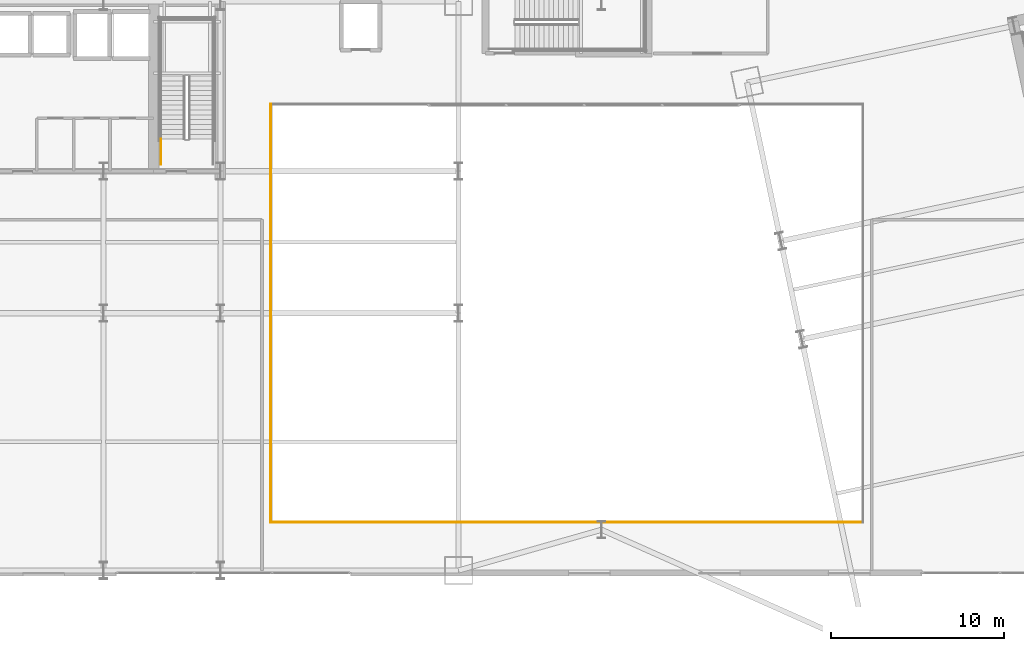
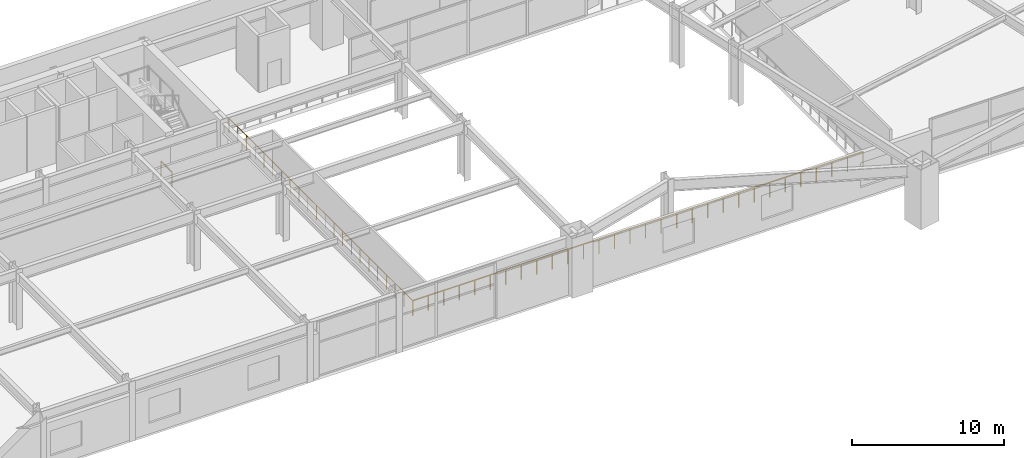
# One storey, part 23 of 30: 3 railings.
"""IFC4 building model written with IfcOpenShell, lengths in metres."""

from ifc_helpers import new_model, si_unit, direction, frame, origin, origin_2d, place, context, subcontext, project, spatial, rectangle, extrude, material, type_object, element, save


model = new_model("IFC4")

# Units and contexts
model_context = context("Model", 3, precision=1e-05, world=origin(), true_north=direction((0.0, 1.0)))
body_context = subcontext(model_context, "Body", "Model", "MODEL_VIEW")
ifc_project = project(units=[si_unit("LENGTHUNIT", "METRE"), si_unit("AREAUNIT", "SQUARE_METRE"), si_unit("VOLUMEUNIT", "CUBIC_METRE"), si_unit("PLANEANGLEUNIT", "RADIAN"), si_unit("MASSUNIT", "GRAM", prefix="KILO")], contexts=[model_context])

# Site, building, storey
site_placement = place(None, origin())
site = spatial("IfcSite", under=ifc_project, at=site_placement, CompositionType="ELEMENT")
building_placement = place(site_placement, origin())
building = spatial("IfcBuilding", under=site, at=building_placement, Name="Haevon Station Towers", CompositionType="ELEMENT")
storey_placement = place(building_placement, frame((0.0, 0.0, 15.60009765625)))
storey = spatial("IfcBuildingStorey", under=building, at=storey_placement, Name="L03", CompositionType="ELEMENT", Elevation=15.60009765625)

# Railings
ifc_material = material(Name="Steel S355", Category="steel")
railing_type_1 = type_object("IfcRailingType", Name="BAL-ATR1200", PredefinedType="BALUSTRADE", material=ifc_material)
railing_1_placement = place(storey_placement, frame((53.90185546875, 17.930908203125, 0.0)))
element("IfcRailing", 1, at=railing_1_placement, inside=storey, type_object=railing_type_1, Name="L03 Atrium Void Balustrade 1", PredefinedType="BALUSTRADE", context=body_context, shape_type="SweptSolid", body=[
    extrude(rectangle(XDim=0.048095703125, YDim=0.048095703125, at=origin_2d()), frame((0.0, 0.0, 1.17578125), z_axis=(1.0, 0.0, 0.0), x_axis=(0.0, 1.0, 0.0)), (0.0, 0.0, 1.0), 34.1962890625),
    extrude(rectangle(XDim=0.0419921875, YDim=0.0419921875, at=origin_2d()), origin(), (0.0, 0.0, 1.0), 1.15185546875),
    extrude(rectangle(XDim=0.0419921875, YDim=0.0419921875, at=origin_2d()), frame((1.17919921875, 0.0, 0.0)), (0.0, 0.0, 1.0), 1.15185546875),
    extrude(rectangle(XDim=0.0419921875, YDim=0.0419921875, at=origin_2d()), frame((2.3583984375, 0.0, 0.0)), (0.0, 0.0, 1.0), 1.15185546875),
    extrude(rectangle(XDim=0.0419921875, YDim=0.0419921875, at=origin_2d()), frame((3.53759765625, 0.0, 0.0)), (0.0, 0.0, 1.0), 1.15185546875),
    extrude(rectangle(XDim=0.0419921875, YDim=0.0419921875, at=origin_2d()), frame((4.716796875, 0.0, 0.0)), (0.0, 0.0, 1.0), 1.15185546875),
    extrude(rectangle(XDim=0.0419921875, YDim=0.0419921875, at=origin_2d()), frame((5.89599609375, 0.0, 0.0)), (0.0, 0.0, 1.0), 1.15185546875),
    extrude(rectangle(XDim=0.0419921875, YDim=0.0419921875, at=origin_2d()), frame((7.0751953125, 0.0, 0.0)), (0.0, 0.0, 1.0), 1.15185546875),
    extrude(rectangle(XDim=0.0419921875, YDim=0.0419921875, at=origin_2d()), frame((8.25439453125, 0.0, 0.0)), (0.0, 0.0, 1.0), 1.15185546875),
    extrude(rectangle(XDim=0.0419921875, YDim=0.0419921875, at=origin_2d()), frame((9.433349609375, 0.0, 0.0)), (0.0, 0.0, 1.0), 1.15185546875),
    extrude(rectangle(XDim=0.0419921875, YDim=0.0419921875, at=origin_2d()), frame((10.612548828125, 0.0, 0.0)), (0.0, 0.0, 1.0), 1.15185546875),
    extrude(rectangle(XDim=0.0419921875, YDim=0.0419921875, at=origin_2d()), frame((11.791748046875, 0.0, 0.0)), (0.0, 0.0, 1.0), 1.15185546875),
    extrude(rectangle(XDim=0.0419921875, YDim=0.0419921875, at=origin_2d()), frame((12.970947265625, 0.0, 0.0)), (0.0, 0.0, 1.0), 1.15185546875),
    extrude(rectangle(XDim=0.0419921875, YDim=0.0419921875, at=origin_2d()), frame((14.150146484375, 0.0, 0.0)), (0.0, 0.0, 1.0), 1.15185546875),
    extrude(rectangle(XDim=0.0419921875, YDim=0.0419921875, at=origin_2d()), frame((15.329345703125, 0.0, 0.0)), (0.0, 0.0, 1.0), 1.15185546875),
    extrude(rectangle(XDim=0.0419921875, YDim=0.0419921875, at=origin_2d()), frame((16.508544921875, 0.0, 0.0)), (0.0, 0.0, 1.0), 1.15185546875),
    extrude(rectangle(XDim=0.0419921875, YDim=0.0419921875, at=origin_2d()), frame((17.687744140625, 0.0, 0.0)), (0.0, 0.0, 1.0), 1.15185546875),
    extrude(rectangle(XDim=0.0419921875, YDim=0.0419921875, at=origin_2d()), frame((18.866943359375, 0.0, 0.0)), (0.0, 0.0, 1.0), 1.15185546875),
    extrude(rectangle(XDim=0.0419921875, YDim=0.0419921875, at=origin_2d()), frame((20.046142578125, 0.0, 0.0)), (0.0, 0.0, 1.0), 1.15185546875),
    extrude(rectangle(XDim=0.0419921875, YDim=0.0419921875, at=origin_2d()), frame((21.225341796875, 0.0, 0.0)), (0.0, 0.0, 1.0), 1.15185546875),
    extrude(rectangle(XDim=0.0419921875, YDim=0.0419921875, at=origin_2d()), frame((22.404541015625, 0.0, 0.0)), (0.0, 0.0, 1.0), 1.15185546875),
    extrude(rectangle(XDim=0.0419921875, YDim=0.0419921875, at=origin_2d()), frame((23.583740234375, 0.0, 0.0)), (0.0, 0.0, 1.0), 1.15185546875),
    extrude(rectangle(XDim=0.0419921875, YDim=0.0419921875, at=origin_2d()), frame((24.762939453125, 0.0, 0.0)), (0.0, 0.0, 1.0), 1.15185546875),
    extrude(rectangle(XDim=0.0419921875, YDim=0.0419921875, at=origin_2d()), frame((25.94189453125, 0.0, 0.0)), (0.0, 0.0, 1.0), 1.15185546875),
    extrude(rectangle(XDim=0.0419921875, YDim=0.0419921875, at=origin_2d()), frame((27.12109375, 0.0, 0.0)), (0.0, 0.0, 1.0), 1.15185546875),
    extrude(rectangle(XDim=0.0419921875, YDim=0.0419921875, at=origin_2d()), frame((28.30029296875, 0.0, 0.0)), (0.0, 0.0, 1.0), 1.15185546875),
    extrude(rectangle(XDim=0.0419921875, YDim=0.0419921875, at=origin_2d()), frame((29.4794921875, 0.0, 0.0)), (0.0, 0.0, 1.0), 1.15185546875),
    extrude(rectangle(XDim=0.0419921875, YDim=0.0419921875, at=origin_2d()), frame((30.65869140625, 0.0, 0.0)), (0.0, 0.0, 1.0), 1.15185546875),
    extrude(rectangle(XDim=0.0419921875, YDim=0.0419921875, at=origin_2d()), frame((31.837890625, 0.0, 0.0)), (0.0, 0.0, 1.0), 1.15185546875),
    extrude(rectangle(XDim=0.0419921875, YDim=0.0419921875, at=origin_2d()), frame((33.01708984375, 0.0, 0.0)), (0.0, 0.0, 1.0), 1.15185546875),
    extrude(rectangle(XDim=0.0419921875, YDim=0.0419921875, at=origin_2d()), frame((34.1962890625, 0.0, 0.0)), (0.0, 0.0, 1.0), 1.15185546875),
])
railing_2_placement = place(storey_placement, frame((53.90185546875, 42.069091796875, 0.0)))
element("IfcRailing", 2, at=railing_2_placement, inside=storey, type_object=railing_type_1, Name="L03 Atrium Void Balustrade 4", PredefinedType="BALUSTRADE", context=body_context, shape_type="SweptSolid", body=[
    extrude(rectangle(XDim=0.048095703125, YDim=0.048095703125, at=origin_2d()), frame((0.0, 0.0, 1.17578125), z_axis=(0.0, -1.0, 0.0), x_axis=(1.0, 0.0, 0.0)), (0.0, 0.0, 1.0), 24.13818359375),
    extrude(rectangle(XDim=0.0419921875, YDim=0.0419921875, at=origin_2d()), origin(), (0.0, 0.0, 1.0), 1.15185546875),
    extrude(rectangle(XDim=0.0419921875, YDim=0.0419921875, at=origin_2d()), frame((0.0, -1.1494140625, 0.0)), (0.0, 0.0, 1.0), 1.15185546875),
    extrude(rectangle(XDim=0.0419921875, YDim=0.0419921875, at=origin_2d()), frame((0.0, -2.298828125, 0.0)), (0.0, 0.0, 1.0), 1.15185546875),
    extrude(rectangle(XDim=0.0419921875, YDim=0.0419921875, at=origin_2d()), frame((0.0, -3.4482421875, 0.0)), (0.0, 0.0, 1.0), 1.15185546875),
    extrude(rectangle(XDim=0.0419921875, YDim=0.0419921875, at=origin_2d()), frame((0.0, -4.59765625, 0.0)), (0.0, 0.0, 1.0), 1.15185546875),
    extrude(rectangle(XDim=0.0419921875, YDim=0.0419921875, at=origin_2d()), frame((0.0, -5.7470703125, 0.0)), (0.0, 0.0, 1.0), 1.15185546875),
    extrude(rectangle(XDim=0.0419921875, YDim=0.0419921875, at=origin_2d()), frame((0.0, -6.896728515625, 0.0)), (0.0, 0.0, 1.0), 1.15185546875),
    extrude(rectangle(XDim=0.0419921875, YDim=0.0419921875, at=origin_2d()), frame((0.0, -8.046142578125, 0.0)), (0.0, 0.0, 1.0), 1.15185546875),
    extrude(rectangle(XDim=0.0419921875, YDim=0.0419921875, at=origin_2d()), frame((0.0, -9.195556640625, 0.0)), (0.0, 0.0, 1.0), 1.15185546875),
    extrude(rectangle(XDim=0.0419921875, YDim=0.0419921875, at=origin_2d()), frame((0.0, -10.344970703125, 0.0)), (0.0, 0.0, 1.0), 1.15185546875),
    extrude(rectangle(XDim=0.0419921875, YDim=0.0419921875, at=origin_2d()), frame((0.0, -11.494384765625, 0.0)), (0.0, 0.0, 1.0), 1.15185546875),
    extrude(rectangle(XDim=0.0419921875, YDim=0.0419921875, at=origin_2d()), frame((0.0, -12.643798828125, 0.0)), (0.0, 0.0, 1.0), 1.15185546875),
    extrude(rectangle(XDim=0.0419921875, YDim=0.0419921875, at=origin_2d()), frame((0.0, -13.793212890625, 0.0)), (0.0, 0.0, 1.0), 1.15185546875),
    extrude(rectangle(XDim=0.0419921875, YDim=0.0419921875, at=origin_2d()), frame((0.0, -14.942626953125, 0.0)), (0.0, 0.0, 1.0), 1.15185546875),
    extrude(rectangle(XDim=0.0419921875, YDim=0.0419921875, at=origin_2d()), frame((0.0, -16.092041015625, 0.0)), (0.0, 0.0, 1.0), 1.15185546875),
    extrude(rectangle(XDim=0.0419921875, YDim=0.0419921875, at=origin_2d()), frame((0.0, -17.241455078125, 0.0)), (0.0, 0.0, 1.0), 1.15185546875),
    extrude(rectangle(XDim=0.0419921875, YDim=0.0419921875, at=origin_2d()), frame((0.0, -18.39111328125, 0.0)), (0.0, 0.0, 1.0), 1.15185546875),
    extrude(rectangle(XDim=0.0419921875, YDim=0.0419921875, at=origin_2d()), frame((0.0, -19.54052734375, 0.0)), (0.0, 0.0, 1.0), 1.15185546875),
    extrude(rectangle(XDim=0.0419921875, YDim=0.0419921875, at=origin_2d()), frame((0.0, -20.68994140625, 0.0)), (0.0, 0.0, 1.0), 1.15185546875),
    extrude(rectangle(XDim=0.0419921875, YDim=0.0419921875, at=origin_2d()), frame((0.0, -21.83935546875, 0.0)), (0.0, 0.0, 1.0), 1.15185546875),
    extrude(rectangle(XDim=0.0419921875, YDim=0.0419921875, at=origin_2d()), frame((0.0, -22.98876953125, 0.0)), (0.0, 0.0, 1.0), 1.15185546875),
    extrude(rectangle(XDim=0.0419921875, YDim=0.0419921875, at=origin_2d()), frame((0.0, -24.13818359375, 0.0)), (0.0, 0.0, 1.0), 1.15185546875),
])
railing_type_2 = type_object("IfcRailingType", Name="GRD-STR1200", PredefinedType="GUARDRAIL", material=ifc_material)
railing_3_placement = place(storey_placement, frame((47.570068359375, 38.60009765625, 0.0)))
element("IfcRailing", 3, at=railing_3_placement, inside=storey, type_object=railing_type_2, Name="L03 ST2 Stair Guard 9", PredefinedType="GUARDRAIL", context=body_context, shape_type="SweptSolid", body=[
    extrude(rectangle(XDim=0.048095703125, YDim=0.048095703125, at=origin_2d()), frame((0.0, 0.0, 1.17578125), z_axis=(0.0, 1.0, 0.0), x_axis=(-1.0, 0.0, 0.0)), (0.0, 0.0, 1.0), 1.449951171875),
    extrude(rectangle(XDim=0.0419921875, YDim=0.0419921875, at=origin_2d()), origin(), (0.0, 0.0, 1.0), 1.15185546875),
    extrude(rectangle(XDim=0.0419921875, YDim=0.0419921875, at=origin_2d()), frame((0.0, 1.449951171875, 0.0)), (0.0, 0.0, 1.0), 1.15185546875),
])

save(model, "model.ifc")
